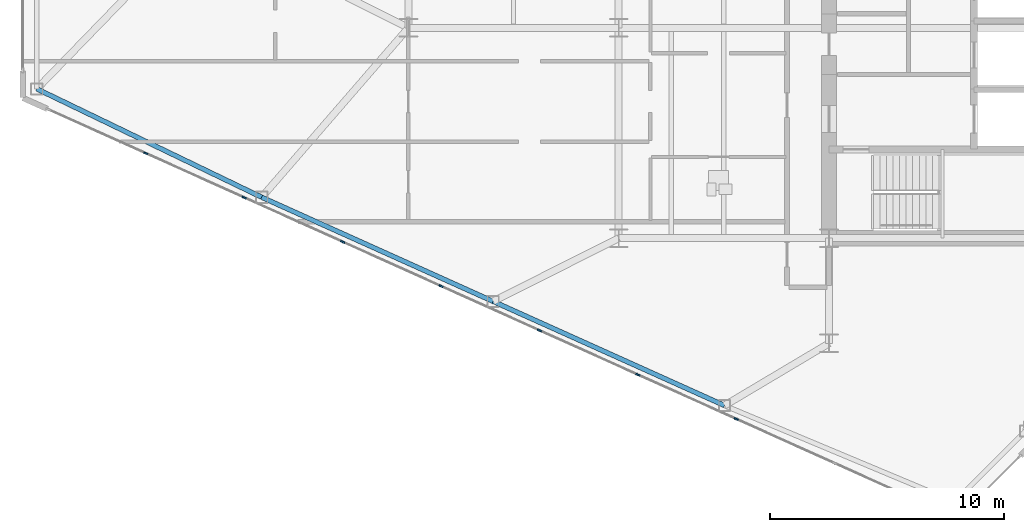
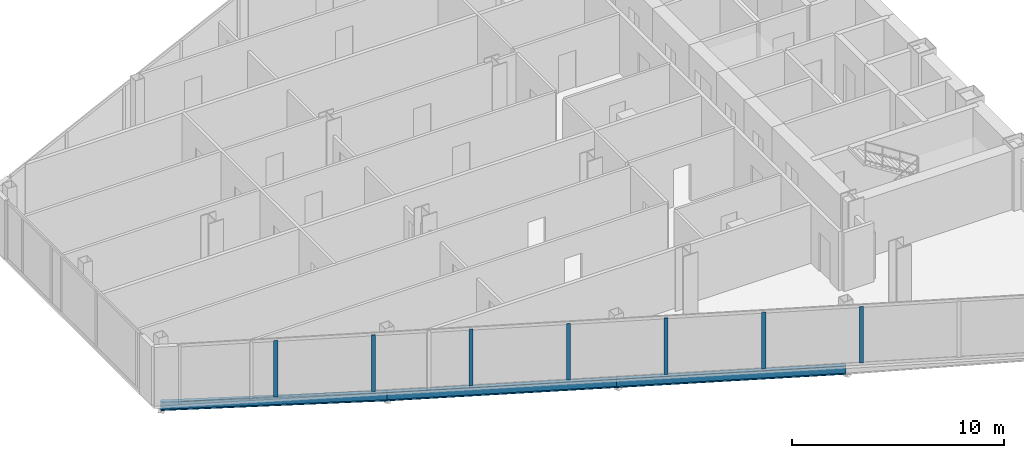
# One storey, part 3 of 27: 7 members, 3 beams, 1 element without a shape of its own.
"""IFC4 building model written with IfcOpenShell, lengths in metres."""

from ifc_helpers import new_model, si_unit, direction, frame, origin, origin_2d, place, context, subcontext, project, spatial, rectangle, i_section, extrude, source, transform, mapped, material, layer, layer_set, material_profile, profile_set, type_object, type_shapes, element, aggregate, save


model = new_model("IFC4")

# Units and contexts
model_context = context("Model", 3, precision=1e-05, world=origin(), true_north=direction((0.0, 1.0)))
body_context = subcontext(model_context, "Body", "Model", "MODEL_VIEW")
ifc_project = project(units=[si_unit("LENGTHUNIT", "METRE"), si_unit("AREAUNIT", "SQUARE_METRE"), si_unit("VOLUMEUNIT", "CUBIC_METRE"), si_unit("PLANEANGLEUNIT", "RADIAN"), si_unit("MASSUNIT", "GRAM", prefix="KILO")], contexts=[model_context])

# Site, building, storey
site_placement = place(None, origin())
site = spatial("IfcSite", under=ifc_project, at=site_placement, CompositionType="ELEMENT")
building_placement = place(site_placement, origin())
building = spatial("IfcBuilding", under=site, at=building_placement, Name="Seokmaru Belvedere", CompositionType="ELEMENT")
storey_placement = place(building_placement, frame((0.0, 0.0, 96.0)))
storey = spatial("IfcBuildingStorey", under=building, at=storey_placement, Name="L25", CompositionType="ELEMENT", Elevation=96.0)

# Beams
ifc_material_1 = material(Name="Steel SM355 (355 MPa)", Category="steel")
ifc_material_profile_1 = material_profile(ifc_material_1, i_section(OverallWidth=0.199951171875, OverallDepth=0.5, WebThickness=0.010009765625, FlangeThickness=0.01611328125, at=origin_2d()), Name="H-500x200x10x16")
ifc_profile_set_1 = profile_set([ifc_material_profile_1], Name="Steel SM355 (355 MPa)")
beam_type = type_object("IfcBeamType", Name="Perimeter Spandrel Beam H-500", PredefinedType="SPANDREL", material=ifc_profile_set_1)
shared_shape_1 = source(origin(), body_context, "Body", "SweptSolid", [
    extrude(i_section(OverallWidth=0.199951171875, OverallDepth=0.5, WebThickness=0.010009765625, FlangeThickness=0.01611328125, at=origin_2d()), origin(), (0.0, 0.0, 1.0), 10.85888671875),
])
for number, where, z_axis, x_axis, name in (
    (1, (-40.97265625, -20.661376953125, -0.469970703125), (-0.911921505175, 0.410364677329, 0.0), (-0.410364677329, -0.911921505175, 0.0), "L25 W Faceted Flank Spandrel S-2"),
    (2, (-50.875, -16.205322265625, -0.469970703125), (-0.911925291223, 0.410356263785, 0.0), (-0.410356263785, -0.911925291223, 0.0), "L25 W Faceted Flank Spandrel S-3"),
):
    element("IfcBeam", number, at=place(storey_placement, frame(where, z_axis=z_axis, x_axis=x_axis)), inside=storey, type_object=beam_type, Name=name, PredefinedType="SPANDREL", context=body_context, shape_type="MappedRepresentation", body=[
        mapped(shared_shape_1, transform((0.0, 0.0, 0.0), scale=1.0)),
    ])
shared_shape_2 = source(origin(), body_context, "Body", "SweptSolid", [
    extrude(i_section(OverallWidth=0.199951171875, OverallDepth=0.5, WebThickness=0.010009765625, FlangeThickness=0.01611328125, at=origin_2d()), origin(), (0.0, 0.0, 1.0), 10.681396484375),
])
type_shapes(beam_type, [shared_shape_1, shared_shape_2])
beam_placement = place(storey_placement, frame((-60.777587890625, -11.749267578125, -0.469970703125), z_axis=(-0.900846426616, 0.434137899352, 0.0), x_axis=(-0.434137899352, -0.900846426616, 0.0)))
element("IfcBeam", 3, at=beam_placement, inside=storey, type_object=beam_type, Name="L25 W Faceted Flank Spandrel S-4", PredefinedType="SPANDREL", context=body_context, shape_type="MappedRepresentation", body=[
    mapped(shared_shape_2, transform((0.0, 0.0, 0.0), scale=1.0)),
])

# Curtain wall, members
ifc_material_2 = material(Name="Bronze Triple Insulating Glass", Category="glass")
ifc_layer = layer(ifc_material_2, 0.195068359375)
ifc_layer_set = layer_set([ifc_layer], Name="Bronze Triple Insulating Glass")
curtain_wall_type = type_object("IfcCurtainWallType", Name="Lower-Mid Tapered Curtain Wall System CW-3", PredefinedType="NOTDEFINED", material=ifc_layer_set)
curtain_wall_placement = place(storey_placement, origin())
curtain_wall = element("IfcCurtainWall", 4, at=curtain_wall_placement, inside=storey, type_object=curtain_wall_type, Name="L25 Curtain Wall WF5", PredefinedType="NOTDEFINED")
ifc_material_3 = material(Name="Anodised Bronze Aluminium", Category="aluminium")
ifc_material_profile_2 = material_profile(ifc_material_3, rectangle(XDim=0.070068359375, YDim=0.195068359375, at=origin_2d()), Name="CW-M-70x195")
ifc_profile_set_2 = profile_set([ifc_material_profile_2], Name="Anodised Bronze Aluminium")
member_type = type_object("IfcMemberType", Name="Bronze Unitised Mullion 70x195", PredefinedType="MULLION", material=ifc_profile_set_2)
shared_shape_3 = source(origin(), body_context, "Body", "SweptSolid", [
    extrude(rectangle(XDim=0.070068359375, YDim=0.195068359375, at=origin_2d()), origin(), (0.0, 0.0, 1.0), 3.239990234375),
])
type_shapes(member_type, [shared_shape_3])
member_1_placement = place(storey_placement, frame((-65.739990234375, -9.866943359375, 0.070068359375), z_axis=(0.0, 0.0, 1.0), x_axis=(0.41036554765, 0.91192111353, 0.0)))
member_1 = element("IfcMember", 5, at=member_1_placement, type_object=member_type, Name="CW:L25:WF5 Mullion 2", PredefinedType="MULLION", context=body_context, shape_type="MappedRepresentation", body=[
    mapped(shared_shape_3, transform((0.0, 0.0, 0.0), scale=1.0)),
])
member_2_placement = place(storey_placement, frame((-61.528564453125, -11.76220703125, 0.070068359375), z_axis=(0.0, 0.0, 1.0), x_axis=(0.41036554765, 0.91192111353, 0.0)))
member_2 = element("IfcMember", 6, at=member_2_placement, type_object=member_type, Name="CW:L25:WF5 Mullion 3", PredefinedType="MULLION", context=body_context, shape_type="MappedRepresentation", body=[
    mapped(shared_shape_3, transform((0.0, 0.0, 0.0), scale=1.0)),
])
member_3_placement = place(storey_placement, frame((-57.317138671875, -13.6572265625, 0.070068359375), z_axis=(0.0, 0.0, 1.0), x_axis=(0.41036554765, 0.91192111353, 0.0)))
member_3 = element("IfcMember", 7, at=member_3_placement, type_object=member_type, Name="CW:L25:WF5 Mullion 4", PredefinedType="MULLION", context=body_context, shape_type="MappedRepresentation", body=[
    mapped(shared_shape_3, transform((0.0, 0.0, 0.0), scale=1.0)),
])
member_4_placement = place(storey_placement, frame((-53.105712890625, -15.552490234375, 0.070068359375), z_axis=(0.0, 0.0, 1.0), x_axis=(0.41036554765, 0.91192111353, 0.0)))
member_4 = element("IfcMember", 8, at=member_4_placement, type_object=member_type, Name="CW:L25:WF5 Mullion 5", PredefinedType="MULLION", context=body_context, shape_type="MappedRepresentation", body=[
    mapped(shared_shape_3, transform((0.0, 0.0, 0.0), scale=1.0)),
])
member_5_placement = place(storey_placement, frame((-48.894287109375, -17.447509765625, 0.070068359375), z_axis=(0.0, 0.0, 1.0), x_axis=(0.41036554765, 0.91192111353, 0.0)))
member_5 = element("IfcMember", 9, at=member_5_placement, type_object=member_type, Name="CW:L25:WF5 Mullion 6", PredefinedType="MULLION", context=body_context, shape_type="MappedRepresentation", body=[
    mapped(shared_shape_3, transform((0.0, 0.0, 0.0), scale=1.0)),
])
member_6_placement = place(storey_placement, frame((-44.682861328125, -19.3427734375, 0.070068359375), z_axis=(0.0, 0.0, 1.0), x_axis=(0.41036554765, 0.91192111353, 0.0)))
member_6 = element("IfcMember", 10, at=member_6_placement, type_object=member_type, Name="CW:L25:WF5 Mullion 7", PredefinedType="MULLION", context=body_context, shape_type="MappedRepresentation", body=[
    mapped(shared_shape_3, transform((0.0, 0.0, 0.0), scale=1.0)),
])
member_7_placement = place(storey_placement, frame((-40.471435546875, -21.23779296875, 0.070068359375), z_axis=(0.0, 0.0, 1.0), x_axis=(0.41036554765, 0.91192111353, 0.0)))
member_7 = element("IfcMember", 11, at=member_7_placement, type_object=member_type, Name="CW:L25:WF5 Mullion 8", PredefinedType="MULLION", context=body_context, shape_type="MappedRepresentation", body=[
    mapped(shared_shape_3, transform((0.0, 0.0, 0.0), scale=1.0)),
])
aggregate(curtain_wall, [member_1, member_2, member_3, member_4, member_5, member_6, member_7])

save(model, "model.ifc")
